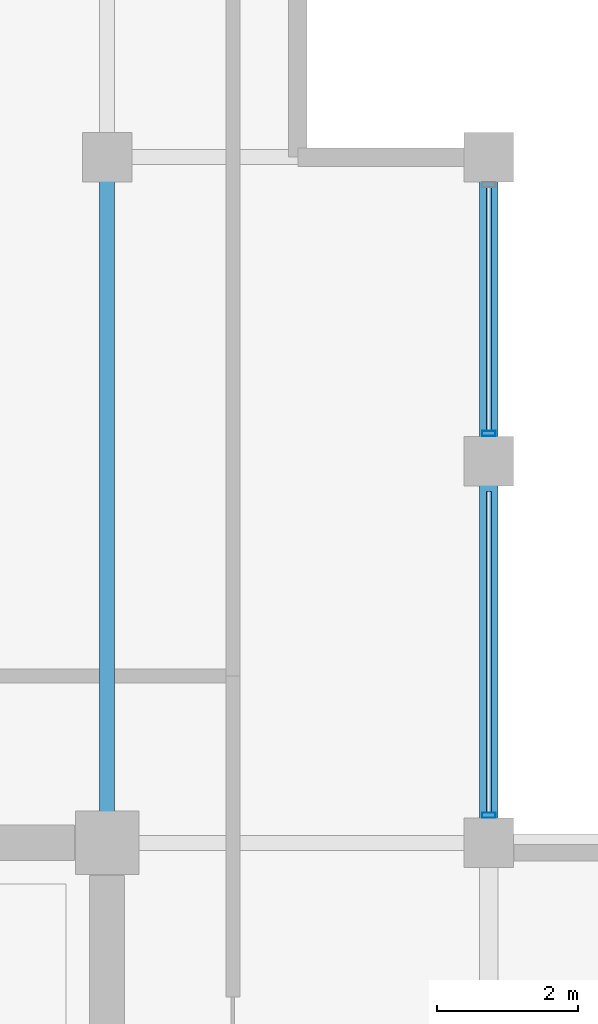
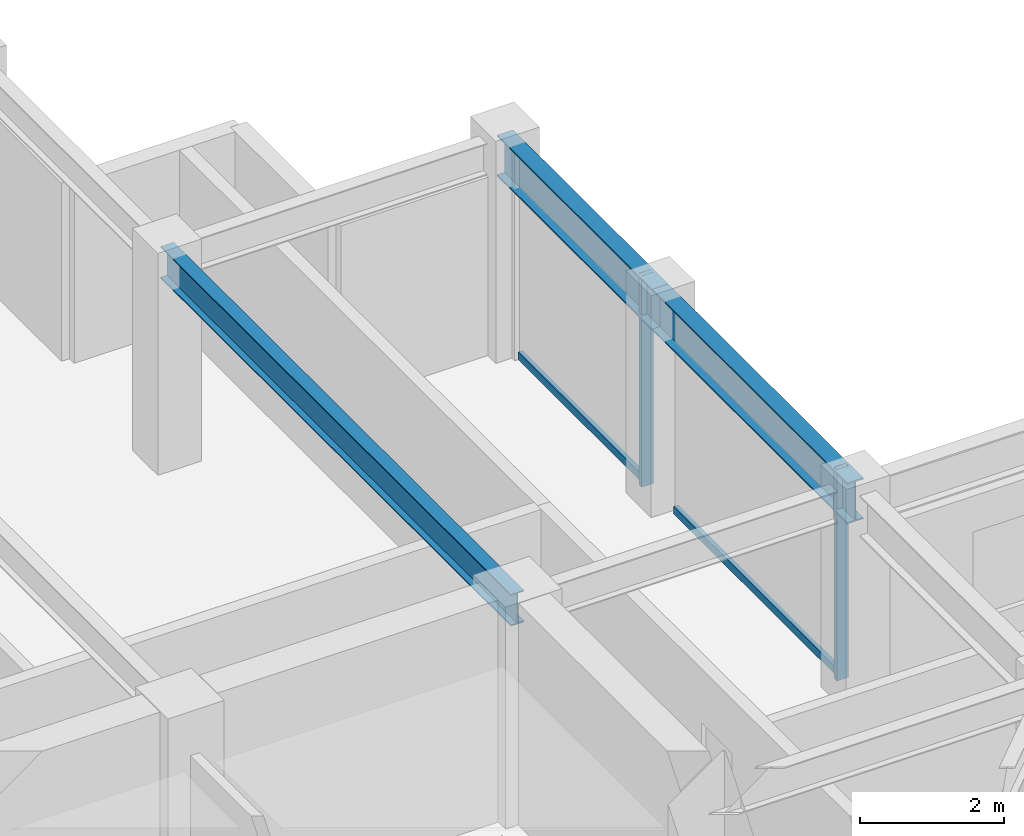
# One storey, part 19 of 31: 4 members, 3 beams, 1 element without a shape of its own.
"""IFC4 building model written with IfcOpenShell, lengths in metres."""

from ifc_helpers import new_model, si_unit, direction, frame, origin, origin_2d, place, context, subcontext, project, spatial, hollow_rectangle, i_section, extrude, material, layer, layer_set, material_profile, profile_set, type_object, element, aggregate, save


model = new_model("IFC4")

# Units and contexts
model_context = context("Model", 3, precision=1e-05, world=origin(), true_north=direction((0.0, 1.0)))
body_context = subcontext(model_context, "Body", "Model", "MODEL_VIEW")
ifc_project = project(units=[si_unit("LENGTHUNIT", "METRE"), si_unit("AREAUNIT", "SQUARE_METRE"), si_unit("VOLUMEUNIT", "CUBIC_METRE"), si_unit("PLANEANGLEUNIT", "RADIAN"), si_unit("MASSUNIT", "GRAM", prefix="KILO")], contexts=[model_context])

# Site, building, storey
site_placement = place(None, origin())
site = spatial("IfcSite", under=ifc_project, at=site_placement, CompositionType="ELEMENT")
building_placement = place(site_placement, origin())
building = spatial("IfcBuilding", under=site, at=building_placement, Name="Surkhivell Harbour Commons", CompositionType="ELEMENT")
storey_placement = place(building_placement, frame((0.0, 0.0, 262.5)))
storey = spatial("IfcBuildingStorey", under=building, at=storey_placement, Name="L68", CompositionType="ELEMENT", Elevation=262.5)

# Beams
ifc_material_1 = material(Name="Steel S355", Category="steel")
ifc_material_profile_1 = material_profile(ifc_material_1, i_section(OverallWidth=0.2099609375, OverallDepth=0.537109375, WebThickness=0.0107421875, FlangeThickness=0.017333984375, at=origin_2d()), Name="UB533x210x101")
ifc_profile_set_1 = profile_set([ifc_material_profile_1], Name="Steel S355")
beam_type_1 = type_object("IfcBeamType", Name="BM-GRD-533B", PredefinedType="BEAM", material=ifc_profile_set_1)
beam_1_placement = place(storey_placement, frame((10.800048828125, 10.800048828125, 3.301513671875), z_axis=(0.0, 1.0, 0.0), x_axis=(-1.0, 0.0, 0.0)))
element("IfcBeam", 1, at=beam_1_placement, inside=storey, type_object=beam_type_1, Name="L68 Floor Girder (10.8,10.8)", PredefinedType="BEAM", context=body_context, shape_type="SweptSolid", body=[
    extrude(i_section(OverallWidth=0.2099609375, OverallDepth=0.537109375, WebThickness=0.0107421875, FlangeThickness=0.017333984375, at=origin_2d()), origin(), (0.0, 0.0, 1.0), 9.699951171875),
])
ifc_material_profile_2 = material_profile(ifc_material_1, i_section(OverallWidth=0.256103515625, OverallDepth=0.693115234375, WebThickness=0.014404296875, FlangeThickness=0.023681640625, at=origin_2d()), Name="UB686x254x170")
ifc_profile_set_2 = profile_set([ifc_material_profile_2], Name="Steel S355")
beam_type_2 = type_object("IfcBeamType", Name="BM-SPN-686", PredefinedType="SPANDREL", material=ifc_profile_set_2)
beam_2_placement = place(storey_placement, frame((16.199951171875, 10.800048828125, 3.223388671875), z_axis=(0.0, 1.0, 0.0), x_axis=(-1.0, 0.0, 0.0)))
element("IfcBeam", 2, at=beam_2_placement, inside=storey, type_object=beam_type_2, Name="L68 Tube Spandrel (16.2,10.8)", PredefinedType="SPANDREL", context=body_context, shape_type="SweptSolid", body=[
    extrude(i_section(OverallWidth=0.256103515625, OverallDepth=0.693115234375, WebThickness=0.014404296875, FlangeThickness=0.023681640625, at=origin_2d()), origin(), (0.0, 0.0, 1.0), 5.39990234375),
])
beam_3_placement = place(storey_placement, frame((16.199951171875, 16.199951171875, 3.223388671875), z_axis=(0.0, 1.0, 0.0), x_axis=(-1.0, 0.0, 0.0)))
element("IfcBeam", 3, at=beam_3_placement, inside=storey, type_object=beam_type_2, Name="L68 Tube Spandrel (16.2,16.2)", PredefinedType="SPANDREL", context=body_context, shape_type="SweptSolid", body=[
    extrude(i_section(OverallWidth=0.256103515625, OverallDepth=0.693115234375, WebThickness=0.014404296875, FlangeThickness=0.023681640625, at=origin_2d()), origin(), (0.0, 0.0, 1.0), 4.300048828125),
])

# Curtain wall, members
ifc_material_2 = material(Name="Anodised pale-metal aluminium and insulated glazing", Category="aluminium")
ifc_layer = layer(ifc_material_2, 0.175048828125)
ifc_layer_set = layer_set([ifc_layer], Name="Anodised pale-metal aluminium and insulated glazing")
curtain_wall_type = type_object("IfcCurtainWallType", Name="CW-SYS-Z4", PredefinedType="NOTDEFINED", material=ifc_layer_set)
curtain_wall_placement = place(storey_placement, origin())
curtain_wall = element("IfcCurtainWall", 4, at=curtain_wall_placement, inside=storey, type_object=curtain_wall_type, Name="L68 Curtain Wall CW-L68-E02R2", PredefinedType="NOTDEFINED")
ifc_material_3 = material(Name="Anodised pale-metal aluminium alloy 6063-T6", Category="aluminium")
ifc_material_profile_3 = material_profile(ifc_material_3, hollow_rectangle(XDim=0.074951171875, YDim=0.18994140625, WallThickness=0.00390625, at=origin_2d()), Name="ALU-MULL-75x190")
ifc_profile_set_3 = profile_set([ifc_material_profile_3], Name="Anodised pale-metal aluminium alloy 6063-T6")
member_type_1 = type_object("IfcMemberType", Name="CWM-190", PredefinedType="MULLION", material=ifc_profile_set_3)
member_1_placement = place(storey_placement, frame((16.199951171875, 11.189453125, 0.0), z_axis=(0.0, 0.0, 1.0), x_axis=(0.0, 1.0, 0.0)))
member_1 = element("IfcMember", 5, at=member_1_placement, type_object=member_type_1, Name="CW-Z4 mullion 1", PredefinedType="MULLION", context=body_context, shape_type="SweptSolid", body=[
    extrude(hollow_rectangle(XDim=0.074951171875, YDim=0.18994140625, WallThickness=0.00390625, at=origin_2d()), origin(), (0.0, 0.0, 1.0), 3.570068359375),
])
member_2_placement = place(storey_placement, frame((16.199951171875, 16.589599609375, 0.0), z_axis=(0.0, 0.0, 1.0), x_axis=(0.0, 1.0, 0.0)))
member_2 = element("IfcMember", 6, at=member_2_placement, type_object=member_type_1, Name="CW-Z4 mullion 2", PredefinedType="MULLION", context=body_context, shape_type="SweptSolid", body=[
    extrude(hollow_rectangle(XDim=0.074951171875, YDim=0.18994140625, WallThickness=0.00390625, at=origin_2d()), origin(), (0.0, 0.0, 1.0), 3.570068359375),
])
ifc_material_4 = material(Name="Champagne anodised aluminium alloy 6063-T6", Category="aluminium")
ifc_material_profile_4 = material_profile(ifc_material_4, hollow_rectangle(XDim=0.070068359375, YDim=0.1298828125, WallThickness=0.00341796875, at=origin_2d()), Name="ALU-TRAN-70x130")
ifc_profile_set_4 = profile_set([ifc_material_profile_4], Name="Champagne anodised aluminium alloy 6063-T6")
member_type_2 = type_object("IfcMemberType", Name="CWT-130", PredefinedType="USERDEFINED", material=ifc_profile_set_4)
member_3_placement = place(storey_placement, frame((16.199951171875, 11.22705078125, 0.06494140625), z_axis=(0.0, 1.0, 0.0), x_axis=(-1.0, 0.0, 0.0)))
member_3 = element("IfcMember", 7, at=member_3_placement, type_object=member_type_2, Name="CW-Z4 transom 1.1", ObjectType="TRANSOM", PredefinedType="USERDEFINED", context=body_context, shape_type="SweptSolid", body=[
    extrude(hollow_rectangle(XDim=0.070068359375, YDim=0.1298828125, WallThickness=0.00341796875, at=origin_2d()), origin(), (0.0, 0.0, 1.0), 4.5458984375),
])
member_4_placement = place(storey_placement, frame((16.199951171875, 16.626953125, 0.06494140625), z_axis=(0.0, 1.0, 0.0), x_axis=(-1.0, 0.0, 0.0)))
member_4 = element("IfcMember", 8, at=member_4_placement, type_object=member_type_2, Name="CW-Z4 transom 2.1", ObjectType="TRANSOM", PredefinedType="USERDEFINED", context=body_context, shape_type="SweptSolid", body=[
    extrude(hollow_rectangle(XDim=0.070068359375, YDim=0.1298828125, WallThickness=0.00341796875, at=origin_2d()), origin(), (0.0, 0.0, 1.0), 3.446044921875),
])
aggregate(curtain_wall, [member_1, member_3, member_2, member_4])

save(model, "model.ifc")
